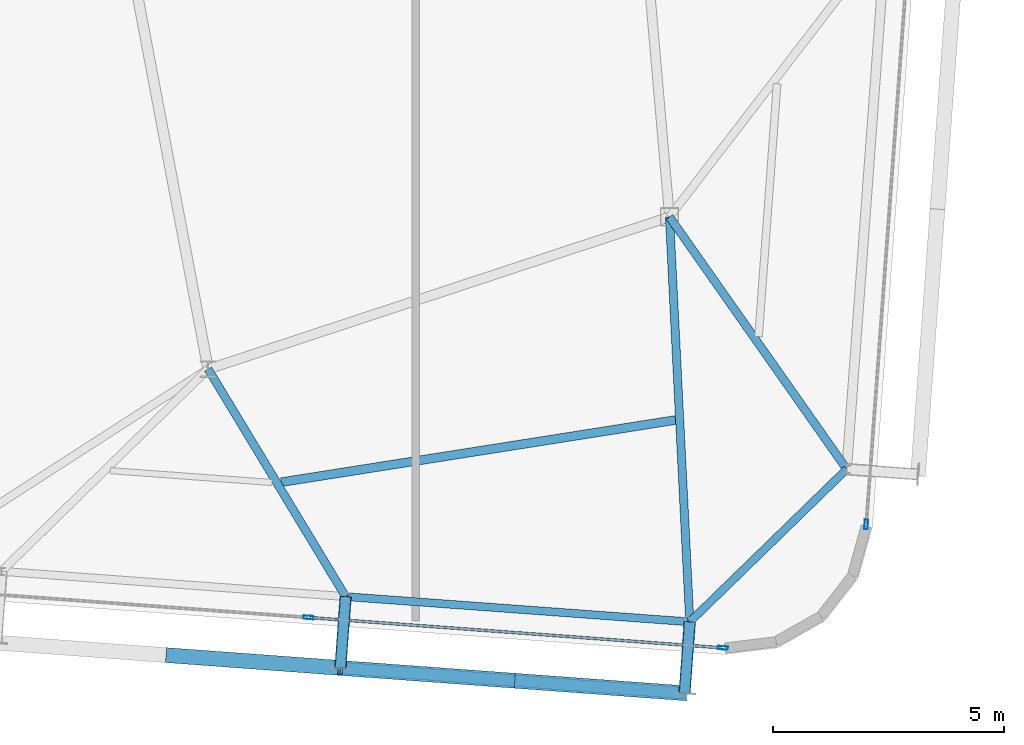
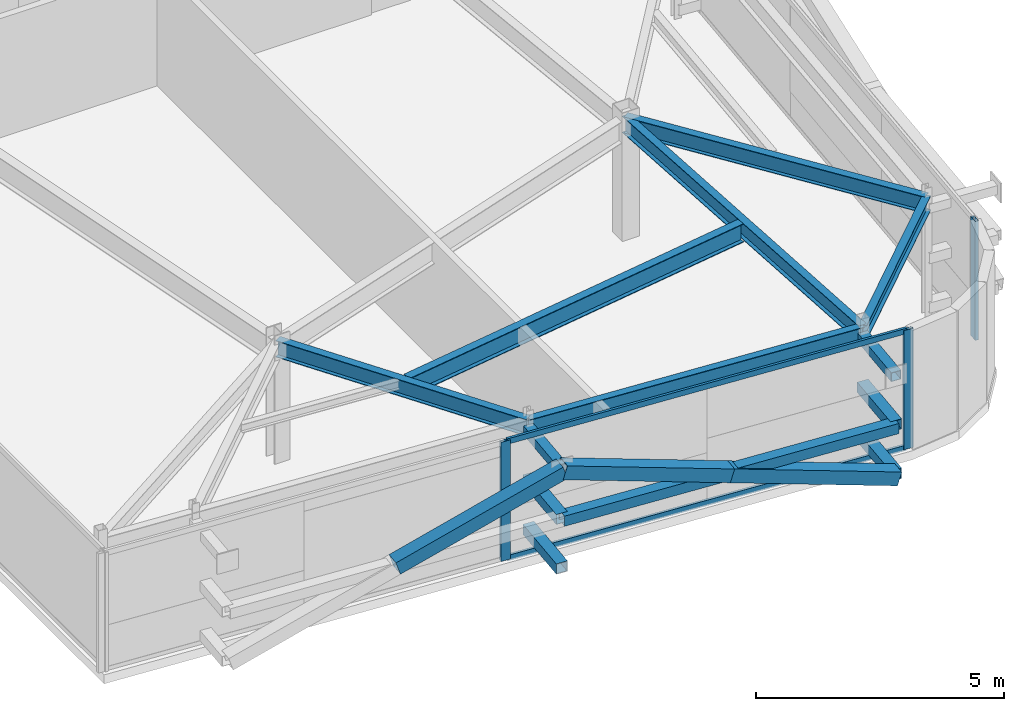
# One storey, part 19 of 39: 15 members, 6 beams, 2 elements without a shape of their own.
"""IFC4 building model written with IfcOpenShell, lengths in metres."""

import ifcopenshell
import ifcopenshell.guid

model = None  # the IFC model being written
_history = None  # IfcOwnerHistory: only IFC2X3 demands one
_inside = {}  # id of a spatial element -> (the spatial element, [elements in it])
_under = {}  # id of a project, library or spatial element -> (it, [spatial elements below it])
_declared = {}  # id of a project -> (the project, [libraries it declares])
_typed = {}  # id of a type object -> (the type object, [elements of that type])
_made_of = {}  # id of a material, layer set ... -> (it, [elements and type objects made of it])


def new_model(schema):
    """Start an empty IFC model of exactly this schema.

    Asked for "IFC4X3", IfcOpenShell would pick the latest addendum, in which some entities
    have other attributes; the version numbers below select the first issue.
    IFC2X3 requires an IfcOwnerHistory on every rooted entity: one is made here for all.
    """
    global model, _history
    if schema == "IFC4X3":
        model = ifcopenshell.file(schema_version=(4, 3, 0, 0))
    else:
        model = ifcopenshell.file(schema=schema)
    _inside.clear()
    _under.clear()
    _declared.clear()
    _typed.clear()
    _made_of.clear()
    _history = None
    if model.schema == "IFC2X3":
        org = make("IfcOrganization", Name="unknown")
        user = make(
            "IfcPersonAndOrganization",
            ThePerson=make("IfcPerson", FamilyName="unknown"),
            TheOrganization=org,
        )
        app = make(
            "IfcApplication",
            ApplicationDeveloper=org,
            Version="unknown",
            ApplicationFullName="unknown",
            ApplicationIdentifier="unknown",
        )
        _history = make(
            "IfcOwnerHistory",
            OwningUser=user,
            OwningApplication=app,
            ChangeAction="ADDED",
            CreationDate=0,
        )
    return model


def make(cls, **values):
    """One entity of the class cls with the attributes given. An attribute that is None is left unset."""
    return model.create_entity(
        cls, **{name: value for name, value in values.items() if value is not None}
    )


def rooted(cls, **values):
    """An entity with a GlobalId (a new one), such as an element, a storey or a relation."""
    return make(cls, GlobalId=ifcopenshell.guid.new(), OwnerHistory=_history, **values)


def si_unit(unit_type, name, prefix=None):
    """IfcSIUnit, for example si_unit("LENGTHUNIT", "METRE", prefix="MILLI")."""
    return make("IfcSIUnit", UnitType=unit_type, Prefix=prefix, Name=name)


def assignment(units):
    """IfcUnitAssignment: the units of a project."""
    return None if units is None else make("IfcUnitAssignment", Units=units)


def point(xyz):
    """IfcCartesianPoint."""
    return None if xyz is None else make("IfcCartesianPoint", Coordinates=xyz)


def direction(xyz):
    """IfcDirection."""
    return None if xyz is None else make("IfcDirection", DirectionRatios=xyz)


def frame(location, z_axis=None, x_axis=None):
    """IfcAxis2Placement3D, a coordinate frame: its origin and axes. An axis left out is left unset."""
    return make(
        "IfcAxis2Placement3D",
        Location=point(location),
        Axis=direction(z_axis),
        RefDirection=direction(x_axis),
    )


def frame_2d(location, x_axis=None):
    """IfcAxis2Placement2D, a coordinate frame in the plane: its origin and x axis."""
    return make(
        "IfcAxis2Placement2D", Location=point(location), RefDirection=direction(x_axis)
    )


def origin():
    """The frame at (0, 0, 0) with its axes left unset."""
    return frame((0.0, 0.0, 0.0))


def origin_2d():
    """The frame at (0, 0) in the plane with its x axis left unset."""
    return frame_2d((0.0, 0.0))


def place(relative_to, where):
    """IfcLocalPlacement: puts the frame where relative to a parent placement (None: the world)."""
    return make(
        "IfcLocalPlacement", PlacementRelTo=relative_to, RelativePlacement=where
    )


def context(
    kind, dimensions, precision=None, world=None, true_north=None, identifier=None
):
    """IfcGeometricRepresentationContext, for example the 3D "Model" context."""
    return make(
        "IfcGeometricRepresentationContext",
        ContextIdentifier=identifier,
        ContextType=kind,
        CoordinateSpaceDimension=dimensions,
        Precision=precision,
        WorldCoordinateSystem=world,
        TrueNorth=true_north,
    )


def subcontext(parent, identifier, kind, view, scale=None):
    """IfcGeometricRepresentationSubContext, for example "Body" below "Model"."""
    return make(
        "IfcGeometricRepresentationSubContext",
        ContextIdentifier=identifier,
        ContextType=kind,
        ParentContext=parent,
        TargetScale=scale,
        TargetView=view,
    )


def project(units=None, contexts=None):
    """IfcProject with its units and contexts."""
    return rooted(
        "IfcProject",
        Name="project",
        RepresentationContexts=contexts,
        UnitsInContext=assignment(units),
    )


def spatial(cls, under=None, at=None, **own):
    """A site, building, storey or space (cls), placed at a placement, below another one or the project."""
    s = rooted(cls, ObjectPlacement=at, **own)
    if under is not None:
        _under.setdefault(under.id(), (under, []))[1].append(s)
    return s


def profile(cls, at=None, kind="AREA", **sizes):
    """A parametric profile (cls). Its sizes go by their IFC names, for example OverallWidth=200.0."""
    return make(cls, ProfileType=kind, Position=at, **sizes)


def hollow_rectangle(**sizes):
    """IfcRectangleHollowProfileDef."""
    return profile("IfcRectangleHollowProfileDef", **sizes)


def i_section(**sizes):
    """IfcIShapeProfileDef."""
    return profile("IfcIShapeProfileDef", **sizes)


def extrude(swept, where, along, depth):
    """IfcExtrudedAreaSolid: the profile swept, set in the frame where, extruded along a direction by depth."""
    return make(
        "IfcExtrudedAreaSolid",
        SweptArea=swept,
        Position=where,
        ExtrudedDirection=direction(along),
        Depth=depth,
    )


def shape(context_of_items, identifier, shape_type, items):
    """IfcShapeRepresentation: the items that make up one representation, for example the "Body"."""
    return make(
        "IfcShapeRepresentation",
        ContextOfItems=context_of_items,
        RepresentationIdentifier=identifier,
        RepresentationType=shape_type,
        Items=items,
    )


def source(mapping_origin, context_of_items, identifier, shape_type, items):
    """IfcRepresentationMap: a shape defined once, which mapped items show again and again."""
    return make(
        "IfcRepresentationMap",
        MappingOrigin=mapping_origin,
        MappedRepresentation=shape(context_of_items, identifier, shape_type, items),
    )


def transform(
    local_origin,
    x_axis=None,
    y_axis=None,
    z_axis=None,
    scale=None,
    scale2=None,
    scale3=None,
    uniform=True,
):
    """IfcCartesianTransformationOperator3D, or its non-uniform kind. x_axis, y_axis, z_axis: its Axis1, 2, 3."""
    if uniform:
        return make(
            "IfcCartesianTransformationOperator3D",
            Axis1=direction(x_axis),
            Axis2=direction(y_axis),
            LocalOrigin=point(local_origin),
            Scale=scale,
            Axis3=direction(z_axis),
        )
    return make(
        "IfcCartesianTransformationOperator3DnonUniform",
        Axis1=direction(x_axis),
        Axis2=direction(y_axis),
        LocalOrigin=point(local_origin),
        Scale=scale,
        Axis3=direction(z_axis),
        Scale2=scale2,
        Scale3=scale3,
    )


def mapped(mapping_source, mapping_target):
    """IfcMappedItem: shows the shape of a source again, moved by a transform."""
    return make(
        "IfcMappedItem", MappingSource=mapping_source, MappingTarget=mapping_target
    )


def material(Name=None, Category=None):
    """IfcMaterial."""
    return make("IfcMaterial", Name=Name, Category=Category)


def layer(
    of_material, thickness, ventilated=None, Name=None, Category=None, Priority=None
):
    """IfcMaterialLayer: one layer of a wall or slab, of a material (None: an air gap)."""
    return make(
        "IfcMaterialLayer",
        Material=of_material,
        LayerThickness=thickness,
        IsVentilated=ventilated,
        Name=Name,
        Category=Category,
        Priority=Priority,
    )


def layer_set(layers, Name=None):
    """IfcMaterialLayerSet."""
    return make("IfcMaterialLayerSet", MaterialLayers=layers, LayerSetName=Name)


def material_profile(
    of_material, cross_section, Name=None, Category=None, Priority=None
):
    """IfcMaterialProfile: a cross section and its material."""
    return make(
        "IfcMaterialProfile",
        Name=Name,
        Material=of_material,
        Profile=cross_section,
        Priority=Priority,
        Category=Category,
    )


def profile_set(profiles, Name=None, composite=None):
    """IfcMaterialProfileSet."""
    return make(
        "IfcMaterialProfileSet",
        Name=Name,
        MaterialProfiles=profiles,
        CompositeProfile=composite,
    )


def made_of(thing, what):
    """Note that an element or type object is made of a material, layer set ...; save() writes the relation."""
    if what is not None:
        _made_of.setdefault(what.id(), (what, []))[1].append(thing)
    return thing


def type_object(cls, material=None, **own):
    """A type object (cls), such as IfcWallType, which elements share."""
    return made_of(rooted(cls, **own), material)


def element(
    cls,
    number,
    at=None,
    inside=None,
    cuts=None,
    type_object=None,
    material=None,
    context=None,
    identifier="Body",
    shape_type=None,
    held_by="IfcProductDefinitionShape",
    body=None,
    shapes=None,
    **own,
):
    """One element of the class cls, such as IfcWall. Its Tag is "e" and its number.

    at: its placement. inside: the storey or other place that contains it. cuts: it is an
    opening in that element (IfcRelVoidsElement). A single representation is given by context,
    identifier, shape_type and body (its items); several are given by shapes. held_by: the class
    of the entity that holds the representations. save() writes the other relations.
    """
    e = rooted(cls, Tag="e%d" % number, ObjectPlacement=at, **own)
    if body is not None:
        shapes = [shape(context, identifier, shape_type, body)]
    if shapes is not None:
        e.Representation = make(held_by, Representations=shapes)
    if inside is not None:
        _inside.setdefault(inside.id(), (inside, []))[1].append(e)
    if cuts is not None:
        rooted(
            "IfcRelVoidsElement", RelatingBuildingElement=cuts, RelatedOpeningElement=e
        )
    if type_object is not None:
        _typed.setdefault(type_object.id(), (type_object, []))[1].append(e)
    return made_of(e, material)


def aggregate(whole, parts):
    """IfcRelAggregates: a whole, such as a stair, and the parts it consists of."""
    return rooted("IfcRelAggregates", RelatingObject=whole, RelatedObjects=parts)


def save(model, path):
    """Write the relations noted so far, then the file.

    IfcRelAggregates (storeys below a building ...), IfcRelContainedInSpatialStructure (elements
    in a storey), IfcRelDefinesByType, IfcRelAssociatesMaterial and IfcRelDeclares: one each for
    every whole, place, type object, material and project.
    """
    for whole, parts in _under.values():
        aggregate(whole, parts)
    for where, things in _inside.values():
        rooted(
            "IfcRelContainedInSpatialStructure",
            RelatedElements=things,
            RelatingStructure=where,
        )
    for kind, things in _typed.values():
        rooted("IfcRelDefinesByType", RelatedObjects=things, RelatingType=kind)
    for what, things in _made_of.values():
        rooted("IfcRelAssociatesMaterial", RelatedObjects=things, RelatingMaterial=what)
    for by, libraries in _declared.values():
        rooted("IfcRelDeclares", RelatingContext=by, RelatedDefinitions=libraries)
    model.write(path)


model = new_model("IFC4")

# Units and contexts
model_context = context("Model", 3, precision=1e-05, world=origin(), true_north=direction((0.0, 1.0)))
body_context = subcontext(model_context, "Body", "Model", "MODEL_VIEW")
ifc_project = project(units=[si_unit("LENGTHUNIT", "METRE"), si_unit("AREAUNIT", "SQUARE_METRE"), si_unit("VOLUMEUNIT", "CUBIC_METRE"), si_unit("PLANEANGLEUNIT", "RADIAN"), si_unit("MASSUNIT", "GRAM", prefix="KILO")], contexts=[model_context])

# Site, building, storey
site_placement = place(None, origin())
site = spatial("IfcSite", under=ifc_project, at=site_placement, CompositionType="ELEMENT")
building_placement = place(site_placement, origin())
building = spatial("IfcBuilding", under=site, at=building_placement, Name="Taldren Reach Tower", CompositionType="ELEMENT")
storey_placement = place(building_placement, frame((0.0, 0.0, 230.300048828125)))
storey = spatial("IfcBuildingStorey", under=building, at=storey_placement, Name="L70", CompositionType="ELEMENT", Elevation=230.300048828125)

# Members
ifc_material_1 = material(Name="Steel Gr 350 (C350L0)", Category="steel")
ifc_material_profile_1 = material_profile(ifc_material_1, hollow_rectangle(XDim=0.25, YDim=0.25, WallThickness=0.010009765625, at=origin_2d()), Name="250x250x10.0SHS")
ifc_profile_set_1 = profile_set([ifc_material_profile_1], Name="Steel Gr 350 (C350L0)")
member_type_1 = type_object("IfcMemberType", Name="MB-POST250", PredefinedType="POST", material=ifc_profile_set_1)
shared_shape_1 = source(origin(), body_context, "Body", "SweptSolid", [
    extrude(hollow_rectangle(XDim=0.25, YDim=0.25, WallThickness=0.010009765625, at=origin_2d()), origin(), (0.0, 0.0, 1.0), 1.550048828125),
])
for number, where, z_axis, x_axis, name in (
    (1, (44.980224609375, 4.26904296875, 0.219970703125), (-0.07323929162, -0.997314396849, 0.0), (0.997314396849, -0.07323929162, 0.0), "Exoskeleton base diaphragm tie strut B5-S5 L70"),
    (2, (52.440185546875, 3.72119140625, 0.219970703125), (-0.07323929162, -0.997314396849, 0.0), (0.997314396849, -0.07323929162, 0.0), "Exoskeleton base diaphragm tie strut B5-S6 L70"),
    (3, (44.980224609375, 4.26904296875, 1.43505859375), (-0.07323929162, -0.997314396849, 0.0), (0.997314396849, -0.07323929162, 0.0), "Exoskeleton mid-tier diaphragm tie B5-S5 L70"),
    (4, (52.440185546875, 3.72119140625, 1.43505859375), (-0.07323929162, -0.997314396849, 0.0), (0.997314396849, -0.07323929162, 0.0), "Exoskeleton mid-tier diaphragm tie B5-S6 L70"),
):
    element("IfcMember", number, at=place(storey_placement, frame(where, z_axis=z_axis, x_axis=x_axis)), inside=storey, type_object=member_type_1, Name=name, PredefinedType="POST", context=body_context, shape_type="MappedRepresentation", body=[
        mapped(shared_shape_1, transform((0.0, 0.0, 0.0), scale=1.0)),
    ])
ifc_material_2 = material(Name="Steel Gr 450 (C450L0)", Category="steel")
ifc_material_profile_2 = material_profile(ifc_material_2, hollow_rectangle(XDim=0.219970703125, YDim=0.219970703125, WallThickness=0.00830078125, at=origin_2d()), Name="220x220x8.2SHS")
ifc_profile_set_2 = profile_set([ifc_material_profile_2], Name="Steel Gr 450 (C450L0)")
member_type_2 = type_object("IfcMemberType", Name="MB-TIE219", PredefinedType="STRUT", material=ifc_profile_set_2)
shared_shape_2 = source(origin(), body_context, "Body", "SweptSolid", [
    extrude(hollow_rectangle(XDim=0.219970703125, YDim=0.219970703125, WallThickness=0.00830078125, at=origin_2d()), origin(), (0.0, 0.0, 1.0), 1.550048828125),
])
for number, where, z_axis, x_axis, name in (
    (5, (44.980224609375, 4.26904296875, 2.64990234375), (-0.07323929162, -0.997314396849, 0.0), (0.997314396849, -0.07323929162, 0.0), "Exoskeleton diaphragm tie strut B5-S5 L70"),
    (6, (52.440185546875, 3.72119140625, 2.64990234375), (-0.07323929162, -0.997314396849, 0.0), (0.997314396849, -0.07323929162, 0.0), "Exoskeleton diaphragm tie strut B5-S6 L70"),
):
    element("IfcMember", number, at=place(storey_placement, frame(where, z_axis=z_axis, x_axis=x_axis)), inside=storey, type_object=member_type_2, Name=name, PredefinedType="STRUT", context=body_context, shape_type="MappedRepresentation", body=[
        mapped(shared_shape_2, transform((0.0, 0.0, 0.0), scale=1.0)),
    ])

# Beams
ifc_material_3 = material(Name="Steel Gr 350 (350PLUS)", Category="steel")
ifc_material_profile_3 = material_profile(ifc_material_3, i_section(OverallWidth=0.172119140625, OverallDepth=0.35888671875, WebThickness=0.008056640625, FlangeThickness=0.012939453125, at=origin_2d()), Name="360UB56.7")
ifc_profile_set_3 = profile_set([ifc_material_profile_3], Name="Steel Gr 350 (350PLUS)")
beam_type_1 = type_object("IfcBeamType", Name="SP-UB360", PredefinedType="SPANDREL", material=ifc_profile_set_3)
shared_shape_3 = source(origin(), body_context, "Body", "SweptSolid", [
    extrude(i_section(OverallWidth=0.172119140625, OverallDepth=0.35888671875, WebThickness=0.008056640625, FlangeThickness=0.012939453125, at=origin_2d()), origin(), (0.0, 0.0, 1.0), 7.47998046875),
])
beam_1_placement = place(storey_placement, frame((44.980224609375, 4.26904296875, 2.75048828125), z_axis=(0.997314220642, -0.07324169103, 0.0), x_axis=(0.07324169103, 0.997314220642, 0.0)))
element("IfcBeam", 7, at=beam_1_placement, inside=storey, type_object=beam_type_1, Name="Perimeter spandrel B5 S5-S6 L70", PredefinedType="SPANDREL", context=body_context, shape_type="MappedRepresentation", body=[
    mapped(shared_shape_3, transform((0.0, 0.0, 0.0), scale=1.0)),
])
shared_shape_4 = source(origin(), body_context, "Body", "SweptSolid", [
    extrude(i_section(OverallWidth=0.172119140625, OverallDepth=0.35888671875, WebThickness=0.008056640625, FlangeThickness=0.012939453125, at=origin_2d()), origin(), (0.0, 0.0, 1.0), 4.74609375),
])
beam_2_placement = place(storey_placement, frame((52.440185546875, 3.72119140625, 2.75048828125), z_axis=(0.716711338436, 0.697369957309, 0.0), x_axis=(-0.697369957309, 0.716711338436, 0.0)))
element("IfcBeam", 8, at=beam_2_placement, inside=storey, type_object=beam_type_1, Name="Perimeter spandrel B5 S6-E1 L70", PredefinedType="SPANDREL", context=body_context, shape_type="MappedRepresentation", body=[
    mapped(shared_shape_4, transform((0.0, 0.0, 0.0), scale=1.0)),
])
ifc_material_profile_4 = material_profile(ifc_material_3, i_section(OverallWidth=0.177978515625, OverallDepth=0.406005859375, WebThickness=0.0078125, FlangeThickness=0.0126953125, at=origin_2d()), Name="410UB59.7")
ifc_profile_set_4 = profile_set([ifc_material_profile_4], Name="Steel Gr 350 (350PLUS)")
beam_type_2 = type_object("IfcBeamType", Name="BM-UB410", PredefinedType="BEAM", material=ifc_profile_set_4)
shared_shape_5 = source(origin(), body_context, "Body", "SweptSolid", [
    extrude(i_section(OverallWidth=0.177978515625, OverallDepth=0.406005859375, WebThickness=0.0078125, FlangeThickness=0.0126953125, at=origin_2d()), origin(), (0.0, 0.0, 1.0), 5.761474609375),
])
beam_3_placement = place(storey_placement, frame((42.0, 9.199951171875, 2.72705078125), z_axis=(0.517259852514, -0.855828396922, 0.0), x_axis=(0.855828396922, 0.517259852514, 0.0)))
element("IfcBeam", 9, at=beam_3_placement, inside=storey, type_object=beam_type_2, Name="Primary floor girder B5-S5 L70", PredefinedType="BEAM", context=body_context, shape_type="MappedRepresentation", body=[
    mapped(shared_shape_5, transform((0.0, 0.0, 0.0), scale=1.0)),
])
shared_shape_6 = source(origin(), body_context, "Body", "SweptSolid", [
    extrude(i_section(OverallWidth=0.177978515625, OverallDepth=0.406005859375, WebThickness=0.0078125, FlangeThickness=0.0126953125, at=origin_2d()), origin(), (0.0, 0.0, 1.0), 8.789794921875),
])
beam_4_placement = place(storey_placement, frame((52.0, 12.5, 2.72705078125), z_axis=(0.050078917367, -0.998745263836, 0.0), x_axis=(0.998745263836, 0.050078917367, 0.0)))
element("IfcBeam", 10, at=beam_4_placement, inside=storey, type_object=beam_type_2, Name="Primary floor girder B5-S6 L70", PredefinedType="BEAM", context=body_context, shape_type="MappedRepresentation", body=[
    mapped(shared_shape_6, transform((0.0, 0.0, 0.0), scale=1.0)),
])
shared_shape_7 = source(origin(), body_context, "Body", "SweptSolid", [
    extrude(i_section(OverallWidth=0.177978515625, OverallDepth=0.406005859375, WebThickness=0.0078125, FlangeThickness=0.0126953125, at=origin_2d()), origin(), (0.0, 0.0, 1.0), 6.68359375),
])
beam_5_placement = place(storey_placement, frame((52.0, 12.5, 2.72705078125), z_axis=(0.574817292651, -0.818281785249, 0.0), x_axis=(0.818281785249, 0.574817292651, 0.0)))
element("IfcBeam", 11, at=beam_5_placement, inside=storey, type_object=beam_type_2, Name="Primary floor girder B5-E1 L70", PredefinedType="BEAM", context=body_context, shape_type="MappedRepresentation", body=[
    mapped(shared_shape_7, transform((0.0, 0.0, 0.0), scale=1.0)),
])
ifc_material_profile_5 = material_profile(ifc_material_3, i_section(OverallWidth=0.19091796875, OverallDepth=0.4599609375, WebThickness=0.010009765625, FlangeThickness=0.01611328125, at=origin_2d()), Name="460UB82.1")
ifc_profile_set_5 = profile_set([ifc_material_profile_5], Name="Steel Gr 350 (350PLUS)")
beam_type_3 = type_object("IfcBeamType", Name="BM-UB460A", PredefinedType="BEAM", material=ifc_profile_set_5)
shared_shape_8 = source(origin(), body_context, "Body", "SweptSolid", [
    extrude(i_section(OverallWidth=0.19091796875, OverallDepth=0.4599609375, WebThickness=0.010009765625, FlangeThickness=0.01611328125, at=origin_2d()), origin(), (0.0, 0.0, 1.0), 8.65185546875),
])
beam_6_placement = place(storey_placement, frame((43.585205078125, 6.74951171875, 2.699951171875), z_axis=(0.987803200413, 0.155707537562, 0.0), x_axis=(-0.155707537562, 0.987803200413, 0.0)))
element("IfcBeam", 12, at=beam_6_placement, inside=storey, type_object=beam_type_3, Name="Secondary floor beam B5 J5 L70", PredefinedType="BEAM", context=body_context, shape_type="MappedRepresentation", body=[
    mapped(shared_shape_8, transform((0.0, 0.0, 0.0), scale=1.0)),
])

# Members
ifc_material_profile_6 = material_profile(ifc_material_2, hollow_rectangle(XDim=0.324951171875, YDim=0.324951171875, WallThickness=0.0126953125, at=origin_2d()), Name="325x325x12.7SHS")
ifc_profile_set_6 = profile_set([ifc_material_profile_6], Name="Steel Gr 450 (C450L0)")
member_type_3 = type_object("IfcMemberType", Name="MB-BR324", PredefinedType="BRACE", material=ifc_profile_set_6)
shared_shape_9 = source(origin(), body_context, "Body", "SweptSolid", [
    extrude(hollow_rectangle(XDim=0.324951171875, YDim=0.324951171875, WallThickness=0.0126953125, at=origin_2d()), origin(), (0.0, 0.0, 1.0), 3.932373046875),
])
for number, where, z_axis, x_axis, name in (
    (13, (41.13671875, 2.9970703125, 1.43505859375), (0.948529326954, -0.06965898055, 0.308933232813), (0.07324169103, 0.997314220642, 0.0), "Exoskeleton Diagrid Brace B5-S3 L70"),
    (14, (52.32666015625, 2.17529296875, 0.219970703125), (-0.948511132845, 0.069657644394, 0.308989390507), (-0.07324169103, -0.997314220642, 0.0), "Exoskeleton Diagrid Brace B5-S4 L70"),
    (15, (48.5966796875, 2.44921875, 1.43505859375), (-0.948529326954, 0.06965898055, 0.308933232813), (-0.07324169103, -0.997314220642, 0.0), "Exoskeleton Diagrid Brace B5-S4 L70"),
):
    element("IfcMember", number, at=place(storey_placement, frame(where, z_axis=z_axis, x_axis=x_axis)), inside=storey, type_object=member_type_3, Name=name, PredefinedType="BRACE", context=body_context, shape_type="MappedRepresentation", body=[
        mapped(shared_shape_9, transform((0.0, 0.0, 0.0), scale=1.0)),
    ])
shared_shape_10 = source(origin(), body_context, "Body", "SweptSolid", [
    extrude(hollow_rectangle(XDim=0.25, YDim=0.25, WallThickness=0.010009765625, at=origin_2d()), origin(), (0.0, 0.0, 1.0), 7.47998046875),
])
member_1_placement = place(storey_placement, frame((44.86669921875, 2.72314453125, 1.43505859375), z_axis=(0.997314220642, -0.07324169103, 0.0), x_axis=(0.07324169103, 0.997314220642, 0.0)))
element("IfcMember", 16, at=member_1_placement, inside=storey, type_object=member_type_1, Name="Exoskeleton mid-height ring chord B5-S4 L70", PredefinedType="POST", context=body_context, shape_type="MappedRepresentation", body=[
    mapped(shared_shape_10, transform((0.0, 0.0, 0.0), scale=1.0)),
])

# Curtain wall, members
ifc_material_4 = material(Name="Aluminium and Low-E Glass Unitised System", Category="aluminium")
ifc_layer = layer(ifc_material_4, 0.159912109375)
ifc_layer_set = layer_set([ifc_layer], Name="Aluminium and Low-E Glass Unitised System")
curtain_wall_type = type_object("IfcCurtainWallType", Name="CW-SYS-7", PredefinedType="NOTDEFINED", material=ifc_layer_set)
curtain_wall_1_placement = place(storey_placement, origin())
curtain_wall_1 = element("IfcCurtainWall", 17, at=curtain_wall_1_placement, inside=storey, type_object=curtain_wall_type, Name="Unitised curtain wall CW-L70-SEWING", PredefinedType="NOTDEFINED")
ifc_material_5 = material(Name="Anodised Aluminium 6063-T6", Category="aluminium")
ifc_material_profile_7 = material_profile(ifc_material_5, hollow_rectangle(XDim=0.074951171875, YDim=0.2099609375, WallThickness=0.00439453125, at=origin_2d()), Name="ALU-210x75x4.5RHS")
ifc_profile_set_7 = profile_set([ifc_material_profile_7], Name="Anodised Aluminium 6063-T6")
member_type_4 = type_object("IfcMemberType", Name="CW-MUL-200", PredefinedType="MULLION", material=ifc_profile_set_7)
shared_shape_11 = source(origin(), body_context, "Body", "SweptSolid", [
    extrude(hollow_rectangle(XDim=0.074951171875, YDim=0.2099609375, WallThickness=0.00439453125, at=origin_2d()), origin(), (0.0, 0.0, 1.0), 2.929931640625),
])
member_2_placement = place(storey_placement, frame((44.17529296875, 3.816650390625, 0.0), z_axis=(0.0, 0.0, 1.0), x_axis=(0.073238086301, 0.997314485363, 0.0)))
member_2 = element("IfcMember", 18, at=member_2_placement, type_object=member_type_4, Name="CW-7 mullion 2", PredefinedType="MULLION", context=body_context, shape_type="MappedRepresentation", body=[
    mapped(shared_shape_11, transform((0.0, 0.0, 0.0), scale=1.0)),
])
member_3_placement = place(storey_placement, frame((53.163330078125, 3.15673828125, 0.0), z_axis=(0.0, 0.0, 1.0), x_axis=(0.073238086301, 0.997314485363, 0.0)))
member_3 = element("IfcMember", 19, at=member_3_placement, type_object=member_type_4, Name="CW-7 mullion 3", PredefinedType="MULLION", context=body_context, shape_type="MappedRepresentation", body=[
    mapped(shared_shape_11, transform((0.0, 0.0, 0.0), scale=1.0)),
])

# Curtain wall, member
curtain_wall_2_placement = place(storey_placement, origin())
curtain_wall_2 = element("IfcCurtainWall", 20, at=curtain_wall_2_placement, inside=storey, type_object=curtain_wall_type, Name="Unitised curtain wall CW-L70-E", PredefinedType="NOTDEFINED")
member_4_placement = place(storey_placement, frame((56.26513671875, 5.834228515625, 0.0), z_axis=(0.0, 0.0, 1.0), x_axis=(-0.997314470951, 0.073238282558, 0.0)))
member_4 = element("IfcMember", 21, at=member_4_placement, type_object=member_type_4, Name="CW-7 mullion 1", PredefinedType="MULLION", context=body_context, shape_type="MappedRepresentation", body=[
    mapped(shared_shape_11, transform((0.0, 0.0, 0.0), scale=1.0)),
])
aggregate(curtain_wall_2, [member_4])

# Member
ifc_material_profile_8 = material_profile(ifc_material_5, hollow_rectangle(XDim=0.06005859375, YDim=0.135009765625, WallThickness=0.00341796875, at=origin_2d()), Name="ALU-135x60x3.5RHS")
ifc_profile_set_8 = profile_set([ifc_material_profile_8], Name="Anodised Aluminium 6063-T6")
member_type_5 = type_object("IfcMemberType", Name="CW-TRN-150", PredefinedType="USERDEFINED", material=ifc_profile_set_8)
shared_shape_12 = source(origin(), body_context, "Body", "SweptSolid", [
    extrude(hollow_rectangle(XDim=0.06005859375, YDim=0.135009765625, WallThickness=0.00341796875, at=origin_2d()), origin(), (0.0, 0.0, 1.0), 8.937255859375),
])
member_5_placement = place(storey_placement, frame((44.212646484375, 3.81396484375, 0.030029296875), z_axis=(0.997314583709, -0.073236747074, 0.0), x_axis=(0.073236747074, 0.997314583709, 0.0)))
member_5 = element("IfcMember", 22, at=member_5_placement, type_object=member_type_5, Name="CW-7 transom 2.1", ObjectType="TRANSOM", PredefinedType="USERDEFINED", context=body_context, shape_type="MappedRepresentation", body=[
    mapped(shared_shape_12, transform((0.0, 0.0, 0.0), scale=1.0)),
])

member_6_placement = place(storey_placement, frame((44.212646484375, 3.81396484375, 2.89990234375), z_axis=(0.997314583709, -0.073236747074, 0.0), x_axis=(0.073236747074, 0.997314583709, 0.0)))
member_6 = element("IfcMember", 23, at=member_6_placement, type_object=member_type_5, Name="CW-7 transom 2.2", ObjectType="TRANSOM", PredefinedType="USERDEFINED", context=body_context, shape_type="MappedRepresentation", body=[
    mapped(shared_shape_12, transform((0.0, 0.0, 0.0), scale=1.0)),
])

aggregate(curtain_wall_1, [member_2, member_3, member_5, member_6])

save(model, "model.ifc")
